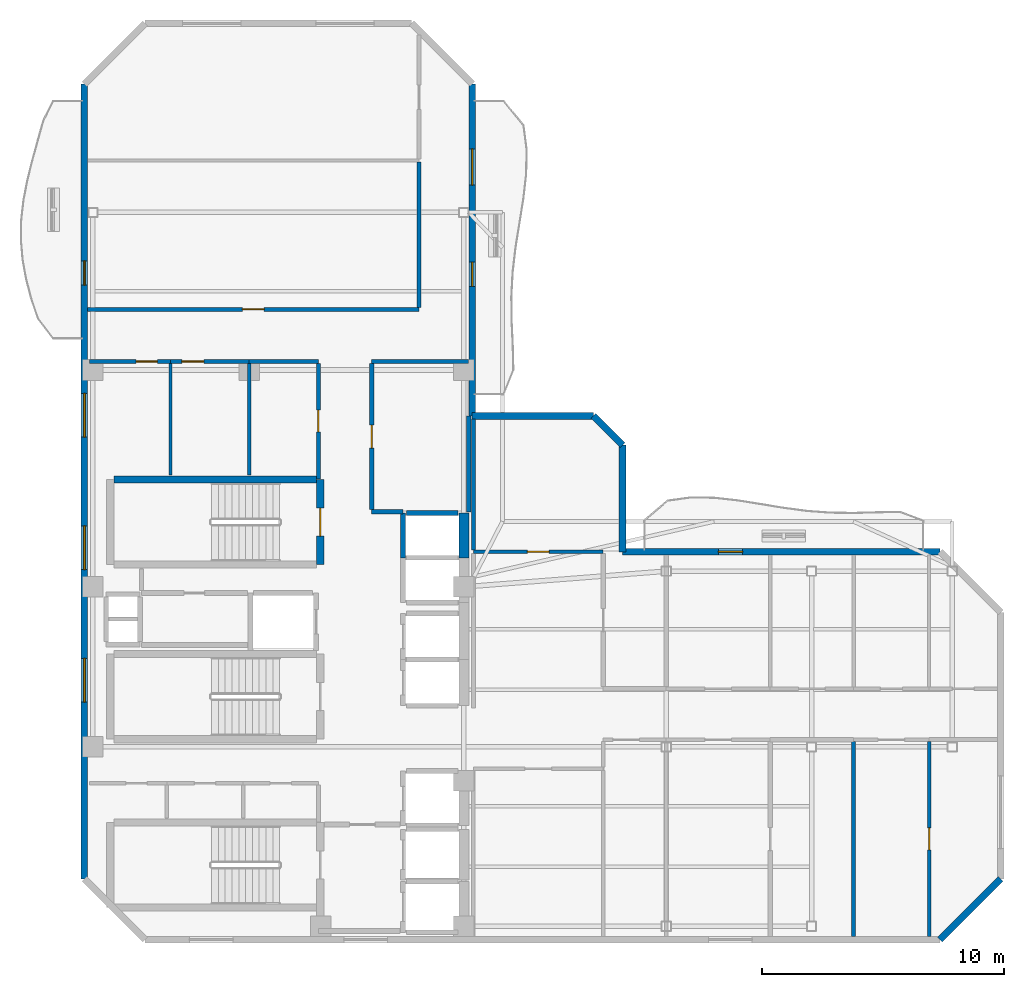
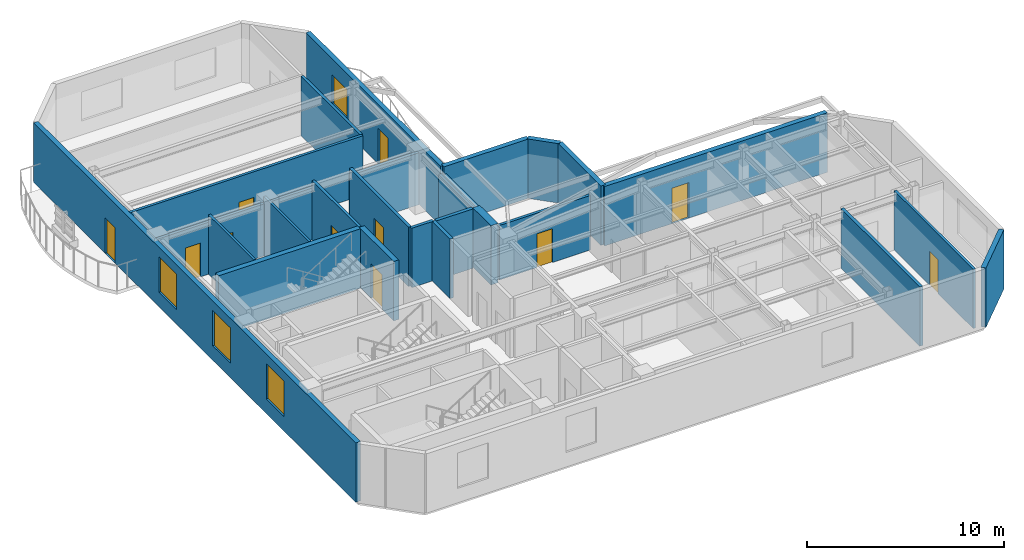
# One storey, part 4 of 7: 28 walls, 11 doors, 4 windows, 15 openings.
"""IFC4 building model written with IfcOpenShell, lengths in metres."""

from ifc_helpers import new_model, si_unit, direction, frame, frame_2d, origin, place, context, subcontext, project, spatial, rectangle, extrude, material, layer, layer_set, type_object, element, fill, save


model = new_model("IFC4")

# Units and contexts
model_context = context("Model", 3, precision=1e-05, world=origin(), true_north=direction((0.0, 1.0)))
body_context = subcontext(model_context, "Body", "Model", "MODEL_VIEW")
ifc_project = project(units=[si_unit("LENGTHUNIT", "METRE"), si_unit("AREAUNIT", "SQUARE_METRE"), si_unit("VOLUMEUNIT", "CUBIC_METRE"), si_unit("PLANEANGLEUNIT", "RADIAN"), si_unit("MASSUNIT", "GRAM", prefix="KILO")], contexts=[model_context])

# Site, building, storey
site_placement = place(None, origin())
site = spatial("IfcSite", under=ifc_project, at=site_placement, CompositionType="ELEMENT")
building_placement = place(site_placement, origin())
building = spatial("IfcBuilding", under=site, at=building_placement, Name="Mawjaban Terraces University", CompositionType="ELEMENT")
storey_placement = place(building_placement, frame((0.0, 0.0, 283.300048828125)))
storey = spatial("IfcBuildingStorey", under=building, at=storey_placement, Name="L69", CompositionType="ELEMENT", Elevation=283.300048828125)

# Walls
ifc_material_1 = material(Name="Acoustic masonry blockwork", Category="masonry")
ifc_layer_1 = layer(ifc_material_1, 0.179931640625)
ifc_layer_set_1 = layer_set([ifc_layer_1], Name="Acoustic masonry blockwork")
wall_type_1 = type_object("IfcWallType", Name="AcousticStudioWall_180", PredefinedType="PARTITIONING", material=ifc_layer_set_1)
wall_1_placement = place(storey_placement, frame((33.85009765625, 17.64990234375, 0.0), z_axis=(0.0, 0.0, 1.0), x_axis=(1.0, 0.0, 0.0)))
element("IfcWall", 1, at=wall_1_placement, inside=storey, type_object=wall_type_1, Name="L69 Graduate Research Collaboration Studio Partition 10", PredefinedType="PARTITIONING", context=body_context, shape_type="SweptSolid", body=[
    extrude(rectangle(XDim=1.2998046875, YDim=0.179931640625, at=frame_2d((0.64990234375, 0.0))), origin(), (0.0, 0.0, 1.0), 3.68994140625),
])
wall_2_placement = place(storey_placement, frame((37.85009765625, 23.85009765625, 0.0), z_axis=(0.0, 0.0, 1.0), x_axis=(-1.0, 0.0, 0.0)))
element("IfcWall", 2, at=wall_2_placement, inside=storey, type_object=wall_type_1, Name="L69 Graduate Research Collaboration Studio Partition 14", PredefinedType="PARTITIONING", context=body_context, shape_type="SweptSolid", body=[
    extrude(rectangle(XDim=4.0, YDim=0.179931640625, at=frame_2d((2.0, 0.0))), origin(), (0.0, 0.0, 1.0), 3.22705078125),
])

# Wall, opening, door
wall_3_placement = place(storey_placement, frame((33.85009765625, 17.735107421875, 0.0), z_axis=(0.0, 0.0, 1.0), x_axis=(0.0, 1.0, 0.0)))
wall_3 = element("IfcWall", 3, at=wall_3_placement, inside=storey, type_object=wall_type_1, Name="L69 Core North Lift Lobby Partition 34", PredefinedType="PARTITIONING", context=body_context, shape_type="SweptSolid", body=[
    extrude(rectangle(XDim=6.02978515625, YDim=0.179931640625, at=frame_2d((3.014892578125, 0.0))), origin(), (0.0, 0.0, 1.0), 3.68994140625),
])
opening_1_placement = place(wall_3_placement, frame((2.5400390625, 0.0, 0.0)))
opening_1 = element("IfcOpeningElement", 4, at=opening_1_placement, cuts=wall_3, Name="Opening ID-095", PredefinedType="OPENING", context=body_context, shape_type="SweptSolid", body=[
    extrude(rectangle(XDim=0.949951171875, YDim=2.10009765625, at=frame_2d((0.47509765625, 1.050048828125))), frame((0.0, 0.099853515625, 0.0), z_axis=(0.0, -1.0, 0.0), x_axis=(1.0, 0.0, 0.0)), (0.0, 0.0, 1.0), 0.199951171875),
])
ifc_material_2 = material(Name="Powder-coated steel frame and solid acoustic timber leaf", Category="steel")
door_type_1 = type_object("IfcDoorType", Name="StudioDoor_950x2100", OperationType="NOTDEFINED", PredefinedType="DOOR", material=ifc_material_2)
door_1_placement = place(opening_1_placement, origin())
door_1 = element("IfcDoor", 5, at=door_1_placement, inside=storey, type_object=door_type_1, Name="L69 Graduate Research Collaboration Studio Door", OperationType="SINGLE_SWING_RIGHT", OverallHeight=2.10009765625, OverallWidth=0.949951171875, PredefinedType="DOOR", context=body_context, shape_type="SweptSolid", body=[
    extrude(rectangle(XDim=0.949951171875, YDim=2.10009765625, at=frame_2d((0.47509765625, 1.050048828125))), frame((0.0, 0.02490234375, 0.0), z_axis=(0.0, -1.0, 0.0), x_axis=(1.0, 0.0, 0.0)), (0.0, 0.0, 1.0), 0.050048828125),
])
fill(opening_1, door_1)

# Walls
wall_4_placement = place(storey_placement, frame((37.85009765625, 17.64990234375, 0.0), z_axis=(0.0, 0.0, 1.0), x_axis=(0.0, 1.0, 0.0)))
element("IfcWall", 6, at=wall_4_placement, inside=storey, type_object=wall_type_1, Name="L69 Graduate Research Collaboration Studio Partition 37", PredefinedType="PARTITIONING", context=body_context, shape_type="SweptSolid", body=[
    extrude(rectangle(XDim=3.9501953125, YDim=0.179931640625, at=frame_2d((1.97509765625, 0.0))), origin(), (0.0, 0.0, 1.0), 3.22705078125),
])
wall_5_placement = place(storey_placement, frame((38.050048828125, 21.468017578125, 0.0), z_axis=(0.0, 0.0, 1.0), x_axis=(0.0, -1.0, 0.0)))
element("IfcWall", 7, at=wall_5_placement, inside=storey, type_object=wall_type_1, Name="L69 Terrace Collaborative Study Room Partition 40", PredefinedType="PARTITIONING", context=body_context, shape_type="SweptSolid", body=[
    extrude(rectangle(XDim=5.39306640625, YDim=0.179931640625, at=frame_2d((2.696533203125, 0.0))), origin(), (0.0, 0.0, 1.0), 3.22705078125),
])
wall_6_placement = place(storey_placement, frame((53.72998046875, 0.133056640625, 0.0), z_axis=(0.0, 0.0, 1.0), x_axis=(0.0, 1.0, 0.0)))
element("IfcWall", 8, at=wall_6_placement, inside=storey, type_object=wall_type_1, Name="L69 Design Studio 6 Partition 48", PredefinedType="PARTITIONING", context=body_context, shape_type="SweptSolid", body=[
    extrude(rectangle(XDim=8.031982421875, YDim=0.179931640625, at=frame_2d((4.01611328125, 0.0))), origin(), (0.0, 0.0, 1.0), 3.68994140625),
])
ifc_material_3 = material(Name="Concrete C50/60", Category="concrete")
ifc_layer_2 = layer(ifc_material_3, 0.419921875)
ifc_layer_set_2 = layer_set([ifc_layer_2], Name="Concrete C50/60")
wall_type_2 = type_object("IfcWallType", Name="CoreShearWall_420", PredefinedType="SHEAR", material=ifc_layer_set_2)
wall_7_placement = place(storey_placement, frame((37.659912109375, 15.75, 0.0), z_axis=(0.0, 0.0, 1.0), x_axis=(0.0, 1.0, 0.0)))
element("IfcWall", 9, at=wall_7_placement, inside=storey, type_object=wall_type_2, Name="L69 Lift OL-2 Hoistway Wall East", PredefinedType="SHEAR", context=body_context, shape_type="SweptSolid", body=[
    extrude(rectangle(XDim=1.85009765625, YDim=0.419921875, at=frame_2d((0.925048828125, 0.0))), origin(), (0.0, 0.0, 1.0), 3.68994140625),
])

# Wall, opening, door
ifc_material_4 = material(Name="Fire-rated gypsum board on steel stud", Category="steel")
ifc_layer_3 = layer(ifc_material_4, 0.159912109375)
ifc_layer_set_3 = layer_set([ifc_layer_3], Name="Fire-rated gypsum board on steel stud")
wall_type_3 = type_object("IfcWallType", Name="CorridorPartition_160", PredefinedType="PARTITIONING", material=ifc_layer_set_3)
wall_8_placement = place(storey_placement, frame((25.550048828125, 23.85009765625, 0.0), z_axis=(0.0, 0.0, 1.0), x_axis=(-1.0, 0.0, 0.0)))
wall_8 = element("IfcWall", 10, at=wall_8_placement, inside=storey, type_object=wall_type_3, Name="L69 Ablution Room Partition 5", PredefinedType="PARTITIONING", context=body_context, shape_type="SweptSolid", body=[
    extrude(rectangle(XDim=3.35009765625, YDim=0.159912109375, at=frame_2d((1.675048828125, 0.0))), origin(), (0.0, 0.0, 1.0), 3.22705078125),
])
opening_2_placement = place(wall_8_placement, frame((0.534912109375, 0.0, 0.0)))
opening_2 = element("IfcOpeningElement", 11, at=opening_2_placement, cuts=wall_8, Name="Opening ID-088", PredefinedType="OPENING", context=body_context, shape_type="SweptSolid", body=[
    extrude(rectangle(XDim=0.8798828125, YDim=2.10009765625, at=frame_2d((0.43994140625, 1.050048828125))), frame((0.0, 0.08984375, 0.0), z_axis=(0.0, -1.0, 0.0), x_axis=(1.0, 0.0, 0.0)), (0.0, 0.0, 1.0), 0.179931640625),
])
door_type_2 = type_object("IfcDoorType", Name="ToiletDoor_880x2100", OperationType="NOTDEFINED", PredefinedType="DOOR", material=ifc_material_2)
door_2_placement = place(opening_2_placement, origin())
door_2 = element("IfcDoor", 12, at=door_2_placement, inside=storey, type_object=door_type_2, Name="L69 Ablution Room Door", OperationType="SINGLE_SWING_RIGHT", OverallHeight=2.10009765625, OverallWidth=0.8798828125, PredefinedType="DOOR", context=body_context, shape_type="SweptSolid", body=[
    extrude(rectangle(XDim=0.8798828125, YDim=2.10009765625, at=frame_2d((0.43994140625, 1.050048828125))), frame((0.0, 0.02490234375, 0.0), z_axis=(0.0, -1.0, 0.0), x_axis=(1.0, 0.0, 0.0)), (0.0, 0.0, 1.0), 0.050048828125),
])
fill(opening_2, door_2)

wall_9_placement = place(storey_placement, frame((28.800048828125, 23.85009765625, 0.0), z_axis=(0.0, 0.0, 1.0), x_axis=(-1.0, 0.0, 0.0)))
wall_9 = element("IfcWall", 13, at=wall_9_placement, inside=storey, type_object=wall_type_3, Name="L69 Cleaner Store Partition 7", PredefinedType="PARTITIONING", context=body_context, shape_type="SweptSolid", body=[
    extrude(rectangle(XDim=3.25, YDim=0.159912109375, at=frame_2d((1.625, 0.0))), origin(), (0.0, 0.0, 1.0), 3.22705078125),
])
opening_3_placement = place(wall_9_placement, frame((1.875, 0.0, 0.0)))
opening_3 = element("IfcOpeningElement", 14, at=opening_3_placement, cuts=wall_9, Name="Opening ID-090", PredefinedType="OPENING", context=body_context, shape_type="SweptSolid", body=[
    extrude(rectangle(XDim=0.89990234375, YDim=2.10009765625, at=frame_2d((0.449951171875, 1.050048828125))), frame((0.0, 0.08984375, 0.0), z_axis=(0.0, -1.0, 0.0), x_axis=(1.0, 0.0, 0.0)), (0.0, 0.0, 1.0), 0.179931640625),
])
door_type_3 = type_object("IfcDoorType", Name="OfficeDoor_900x2100", OperationType="NOTDEFINED", PredefinedType="DOOR", material=ifc_material_2)
door_3_placement = place(opening_3_placement, origin())
door_3 = element("IfcDoor", 15, at=door_3_placement, inside=storey, type_object=door_type_3, Name="L69 Cleaner Store Door", OperationType="SINGLE_SWING_LEFT", OverallHeight=2.10009765625, OverallWidth=0.89990234375, PredefinedType="DOOR", context=body_context, shape_type="SweptSolid", body=[
    extrude(rectangle(XDim=0.89990234375, YDim=2.10009765625, at=frame_2d((0.449951171875, 1.050048828125))), frame((0.0, 0.02490234375, 0.0), z_axis=(0.0, -1.0, 0.0), x_axis=(1.0, 0.0, 0.0)), (0.0, 0.0, 1.0), 0.050048828125),
])
fill(opening_3, door_3)

# Wall
wall_10_placement = place(storey_placement, frame((31.64990234375, 23.85009765625, 0.0), z_axis=(0.0, 0.0, 1.0), x_axis=(-1.0, 0.0, 0.0)))
element("IfcWall", 16, at=wall_10_placement, inside=storey, type_object=wall_type_3, Name="L69 Faculty Academic Resource Office Partition 9", PredefinedType="PARTITIONING", context=body_context, shape_type="SweptSolid", body=[
    extrude(rectangle(XDim=2.849853515625, YDim=0.159912109375, at=frame_2d((1.4248046875, 0.0))), origin(), (0.0, 0.0, 1.0), 3.22705078125),
])

# Wall, opening, door
wall_11_placement = place(storey_placement, frame((35.800048828125, 26.0, 0.0), z_axis=(0.0, 0.0, 1.0), x_axis=(-1.0, 0.0, 0.0)))
wall_11 = element("IfcWall", 17, at=wall_11_placement, inside=storey, type_object=wall_type_3, Name="L69 North Core Cross-Corridor Partition 12", PredefinedType="PARTITIONING", context=body_context, shape_type="SweptSolid", body=[
    extrude(rectangle(XDim=13.6669921875, YDim=0.159912109375, at=frame_2d((6.83349609375, 0.0))), origin(), (0.0, 0.0, 1.0), 3.68994140625),
])
opening_4_placement = place(wall_11_placement, frame((6.383056640625, 0.0, 0.0)))
opening_4 = element("IfcOpeningElement", 18, at=opening_4_placement, cuts=wall_11, Name="Opening ID-090", PredefinedType="OPENING", context=body_context, shape_type="SweptSolid", body=[
    extrude(rectangle(XDim=0.89990234375, YDim=2.10009765625, at=frame_2d((0.449951171875, 1.050048828125))), frame((0.0, 0.08984375, 0.0), z_axis=(0.0, -1.0, 0.0), x_axis=(1.0, 0.0, 0.0)), (0.0, 0.0, 1.0), 0.179931640625),
])
door_4_placement = place(opening_4_placement, origin())
door_4 = element("IfcDoor", 19, at=door_4_placement, inside=storey, type_object=door_type_3, Name="L69 Departmental Office 12 Door", OperationType="SINGLE_SWING_LEFT", OverallHeight=2.10009765625, OverallWidth=0.89990234375, PredefinedType="DOOR", context=body_context, shape_type="SweptSolid", body=[
    extrude(rectangle(XDim=0.89990234375, YDim=2.10009765625, at=frame_2d((0.449951171875, 1.050048828125))), frame((0.0, 0.02490234375, 0.0), z_axis=(0.0, -1.0, 0.0), x_axis=(1.0, 0.0, 0.0)), (0.0, 0.0, 1.0), 0.050048828125),
])
fill(opening_4, door_4)

wall_12_placement = place(storey_placement, frame((43.39990234375, 16.0, 0.0), z_axis=(0.0, 0.0, 1.0), x_axis=(-1.0, 0.0, 0.0)))
wall_12 = element("IfcWall", 20, at=wall_12_placement, inside=storey, type_object=wall_type_3, Name="L69 Upper Research Hub Concourse Partition 17", PredefinedType="PARTITIONING", context=body_context, shape_type="SweptSolid", body=[
    extrude(rectangle(XDim=5.349853515625, YDim=0.159912109375, at=frame_2d((2.6748046875, 0.0))), origin(), (0.0, 0.0, 1.0), 3.389892578125),
])
opening_5_placement = place(wall_12_placement, frame((2.22509765625, 0.0, 0.0)))
opening_5 = element("IfcOpeningElement", 21, at=opening_5_placement, cuts=wall_12, Name="Opening ID-090", PredefinedType="OPENING", context=body_context, shape_type="SweptSolid", body=[
    extrude(rectangle(XDim=0.89990234375, YDim=2.10009765625, at=frame_2d((0.449951171875, 1.050048828125))), frame((0.0, 0.08984375, 0.0), z_axis=(0.0, -1.0, 0.0), x_axis=(1.0, 0.0, 0.0)), (0.0, 0.0, 1.0), 0.179931640625),
])
door_5_placement = place(opening_5_placement, origin())
door_5 = element("IfcDoor", 22, at=door_5_placement, inside=storey, type_object=door_type_3, Name="L69 Terrace Collaborative Study Room Door", OperationType="SINGLE_SWING_LEFT", OverallHeight=2.10009765625, OverallWidth=0.89990234375, PredefinedType="DOOR", context=body_context, shape_type="SweptSolid", body=[
    extrude(rectangle(XDim=0.89990234375, YDim=2.10009765625, at=frame_2d((0.449951171875, 1.050048828125))), frame((0.0, 0.02490234375, 0.0), z_axis=(0.0, -1.0, 0.0), x_axis=(1.0, 0.0, 0.0)), (0.0, 0.0, 1.0), 0.050048828125),
])
fill(opening_5, door_5)

wall_13_placement = place(storey_placement, frame((31.64990234375, 19.010009765625, 0.0), z_axis=(0.0, 0.0, 1.0), x_axis=(0.0, 1.0, 0.0)))
wall_13 = element("IfcWall", 23, at=wall_13_placement, inside=storey, type_object=wall_type_3, Name="L69 Faculty Academic Resource Office Partition 33", PredefinedType="PARTITIONING", context=body_context, shape_type="SweptSolid", body=[
    extrude(rectangle(XDim=4.764892578125, YDim=0.159912109375, at=frame_2d((2.38232421875, 0.0))), origin(), (0.0, 0.0, 1.0), 3.68994140625),
])
opening_6_placement = place(wall_13_placement, frame((1.931884765625, 0.0, 0.0)))
opening_6 = element("IfcOpeningElement", 24, at=opening_6_placement, cuts=wall_13, Name="Opening ID-090", PredefinedType="OPENING", context=body_context, shape_type="SweptSolid", body=[
    extrude(rectangle(XDim=0.89990234375, YDim=2.10009765625, at=frame_2d((0.449951171875, 1.050048828125))), frame((0.0, 0.08984375, 0.0), z_axis=(0.0, -1.0, 0.0), x_axis=(1.0, 0.0, 0.0)), (0.0, 0.0, 1.0), 0.179931640625),
])
door_6_placement = place(opening_6_placement, origin())
door_6 = element("IfcDoor", 25, at=door_6_placement, inside=storey, type_object=door_type_3, Name="L69 Faculty Academic Resource Office Door", OperationType="SINGLE_SWING_LEFT", OverallHeight=2.10009765625, OverallWidth=0.89990234375, PredefinedType="DOOR", context=body_context, shape_type="SweptSolid", body=[
    extrude(rectangle(XDim=0.89990234375, YDim=2.10009765625, at=frame_2d((0.449951171875, 1.050048828125))), frame((0.0, 0.02490234375, 0.0), z_axis=(0.0, -1.0, 0.0), x_axis=(1.0, 0.0, 0.0)), (0.0, 0.0, 1.0), 0.050048828125),
])
fill(opening_6, door_6)

# Walls
wall_14_placement = place(storey_placement, frame((35.800048828125, 32.0830078125, 0.0), z_axis=(0.0, 0.0, 1.0), x_axis=(0.0, -1.0, 0.0)))
element("IfcWall", 26, at=wall_14_placement, inside=storey, type_object=wall_type_3, Name="L69 Upper North Research Gallery Partition 35", PredefinedType="PARTITIONING", context=body_context, shape_type="SweptSolid", body=[
    extrude(rectangle(XDim=6.008056640625, YDim=0.159912109375, at=frame_2d((3.00390625, 0.0))), origin(), (0.0, 0.0, 1.0), 3.68994140625),
])
ifc_material_5 = material(Name="Insulated terracotta rainscreen on concrete backup C40/50", Category="masonry")
ifc_layer_4 = layer(ifc_material_5, 0.27490234375)
ifc_layer_set_4 = layer_set([ifc_layer_4], Name="Insulated terracotta rainscreen on concrete backup C40/50")
wall_type_4 = type_object("IfcWallType", Name="ExtTerracottaWall_275", PredefinedType="SOLIDWALL", material=ifc_layer_set_4)
wall_15_placement = place(storey_placement, frame((57.300048828125, 0.0, 0.0), z_axis=(0.0, 0.0, 1.0), x_axis=(0.707106781187, 0.707106781187, 0.0)))
element("IfcWall", 27, at=wall_15_placement, inside=storey, type_object=wall_type_4, Name="L69 Exterior Terracotta Wall 2", PredefinedType="SOLIDWALL", context=body_context, shape_type="SweptSolid", body=[
    extrude(rectangle(XDim=3.53564453125, YDim=0.27490234375, at=frame_2d((1.767822265625, 0.0))), origin(), (0.0, 0.0, 1.0), 3.68994140625),
])

# Wall, opening, door
wall_16_placement = place(storey_placement, frame((57.300048828125, 16.0, 0.0), z_axis=(0.0, 0.0, 1.0), x_axis=(-1.0, 0.0, 0.0)))
wall_16 = element("IfcWall", 28, at=wall_16_placement, inside=storey, type_object=wall_type_4, Name="L69 Exterior Terracotta Wall 5", PredefinedType="SOLIDWALL", context=body_context, shape_type="SweptSolid", body=[
    extrude(rectangle(XDim=13.10009765625, YDim=0.27490234375, at=frame_2d((6.550048828125, 0.0))), origin(), (0.0, 0.0, 1.0), 3.68994140625),
])
opening_7_placement = place(wall_16_placement, frame((8.14990234375, 0.0, 0.0)))
opening_7 = element("IfcOpeningElement", 29, at=opening_7_placement, cuts=wall_16, Name="Opening BD-100", PredefinedType="OPENING", context=body_context, shape_type="SweptSolid", body=[
    extrude(rectangle(XDim=1.0, YDim=2.199951171875, at=frame_2d((0.5, 1.10009765625))), frame((0.0, 0.1474609375, 0.0), z_axis=(0.0, -1.0, 0.0), x_axis=(1.0, 0.0, 0.0)), (0.0, 0.0, 1.0), 0.294921875),
])
ifc_material_6 = material(Name="Thermally broken anodised aluminium and laminated safety glass", Category="aluminium")
door_type_4 = type_object("IfcDoorType", Name="BalconyGlazedDoor_1000x2200", OperationType="NOTDEFINED", PredefinedType="DOOR", material=ifc_material_6)
door_7_placement = place(opening_7_placement, origin())
door_7 = element("IfcDoor", 30, at=door_7_placement, inside=storey, type_object=door_type_4, Name="L69 Balcony Access Door inner_north", OperationType="SINGLE_SWING_RIGHT", OverallHeight=2.199951171875, OverallWidth=1.0, PredefinedType="DOOR", context=body_context, shape_type="SweptSolid", body=[
    extrude(rectangle(XDim=1.0, YDim=2.199951171875, at=frame_2d((0.5, 1.10009765625))), frame((0.0, 0.02490234375, 0.0), z_axis=(0.0, -1.0, 0.0), x_axis=(1.0, 0.0, 0.0)), (0.0, 0.0, 1.0), 0.050048828125),
])
fill(opening_7, door_7)

# Walls
wall_17_placement = place(storey_placement, frame((44.199951171875, 16.0, 0.0), z_axis=(0.0, 0.0, 1.0), x_axis=(0.0, 1.0, 0.0)))
element("IfcWall", 31, at=wall_17_placement, inside=storey, type_object=wall_type_4, Name="L69 Exterior Terracotta Wall 6", PredefinedType="SOLIDWALL", context=body_context, shape_type="SweptSolid", body=[
    extrude(rectangle(XDim=4.39990234375, YDim=0.27490234375, at=frame_2d((2.199951171875, 0.0))), origin(), (0.0, 0.0, 1.0), 3.68994140625),
])
wall_18_placement = place(storey_placement, frame((44.199951171875, 20.39990234375, 0.0), z_axis=(0.0, 0.0, 1.0), x_axis=(-0.707034851297, 0.707178703759, 0.0)))
element("IfcWall", 32, at=wall_18_placement, inside=storey, type_object=wall_type_4, Name="L69 Exterior Terracotta Wall 7", PredefinedType="SOLIDWALL", context=body_context, shape_type="SweptSolid", body=[
    extrude(rectangle(XDim=1.697265625, YDim=0.27490234375, at=frame_2d((0.8486328125, 0.0))), origin(), (0.0, 0.0, 1.0), 3.68994140625),
])
wall_19_placement = place(storey_placement, frame((43.0, 21.60009765625, 0.0), z_axis=(0.0, 0.0, 1.0), x_axis=(-1.0, 0.0, 0.0)))
element("IfcWall", 33, at=wall_19_placement, inside=storey, type_object=wall_type_4, Name="L69 Exterior Terracotta Wall 8", PredefinedType="SOLIDWALL", context=body_context, shape_type="SweptSolid", body=[
    extrude(rectangle(XDim=5.0, YDim=0.27490234375, at=frame_2d((2.5, 0.0))), origin(), (0.0, 0.0, 1.0), 3.68994140625),
])

# Wall, openings, door, window
wall_20_placement = place(storey_placement, frame((38.0, 21.60009765625, 0.0), z_axis=(0.0, 0.0, 1.0), x_axis=(0.0, 1.0, 0.0)))
wall_20 = element("IfcWall", 34, at=wall_20_placement, inside=storey, type_object=wall_type_4, Name="L69 Exterior Terracotta Wall 9", PredefinedType="SOLIDWALL", context=body_context, shape_type="SweptSolid", body=[
    extrude(rectangle(XDim=13.699951171875, YDim=0.27490234375, at=frame_2d((6.85009765625, 0.0))), origin(), (0.0, 0.0, 1.0), 3.68994140625),
])
opening_8_placement = place(wall_20_placement, frame((5.35009765625, 0.0, 0.0)))
opening_8 = element("IfcOpeningElement", 35, at=opening_8_placement, cuts=wall_20, Name="Opening BD-100", PredefinedType="OPENING", context=body_context, shape_type="SweptSolid", body=[
    extrude(rectangle(XDim=1.0, YDim=2.199951171875, at=frame_2d((0.5, 1.10009765625))), frame((0.0, 0.1474609375, 0.0), z_axis=(0.0, -1.0, 0.0), x_axis=(1.0, 0.0, 0.0)), (0.0, 0.0, 1.0), 0.294921875),
])
opening_9_placement = place(wall_20_placement, frame((9.52490234375, 0.0, 0.89990234375)))
opening_9 = element("IfcOpeningElement", 36, at=opening_9_placement, cuts=wall_20, Name="Opening W-06", PredefinedType="OPENING", context=body_context, shape_type="SweptSolid", body=[
    extrude(rectangle(XDim=1.5, YDim=1.800048828125, at=frame_2d((0.75, 0.89990234375))), frame((0.0, 0.1474609375, 0.0), z_axis=(0.0, -1.0, 0.0), x_axis=(1.0, 0.0, 0.0)), (0.0, 0.0, 1.0), 0.294921875),
])
door_8_placement = place(opening_8_placement, origin())
door_8 = element("IfcDoor", 37, at=door_8_placement, inside=storey, type_object=door_type_4, Name="L69 Balcony Access Door inner_east", OperationType="SINGLE_SWING_RIGHT", OverallHeight=2.199951171875, OverallWidth=1.0, PredefinedType="DOOR", context=body_context, shape_type="SweptSolid", body=[
    extrude(rectangle(XDim=1.0, YDim=2.199951171875, at=frame_2d((0.5, 1.10009765625))), frame((0.0, 0.02490234375, 0.0), z_axis=(0.0, -1.0, 0.0), x_axis=(1.0, 0.0, 0.0)), (0.0, 0.0, 1.0), 0.050048828125),
])
fill(opening_8, door_8)
ifc_material_7 = material(Name="Low-E solar-control double glazing in thermally broken aluminium frame", Category="aluminium")
window_type_1 = type_object("IfcWindowType", Name="Win_1500x1800", PartitioningType="SINGLE_PANEL", PredefinedType="WINDOW", material=ifc_material_7)
window_1_placement = place(opening_9_placement, origin())
window_1 = element("IfcWindow", 38, at=window_1_placement, inside=storey, type_object=window_type_1, Name="L69 Facade Window 9.2", OverallHeight=1.800048828125, OverallWidth=1.5, PartitioningType="SINGLE_PANEL", PredefinedType="WINDOW", context=body_context, shape_type="SweptSolid", body=[
    extrude(rectangle(XDim=1.5, YDim=1.800048828125, at=frame_2d((0.75, 0.89990234375))), frame((0.0, 0.030029296875, 0.0), z_axis=(0.0, -1.0, 0.0), x_axis=(1.0, 0.0, 0.0)), (0.0, 0.0, 1.0), 0.06005859375),
])
fill(opening_9, window_1)

# Wall, openings, door, windows
wall_21_placement = place(storey_placement, frame((22.0, 35.300048828125, 0.0), z_axis=(0.0, 0.0, 1.0), x_axis=(0.0, -1.0, 0.0)))
wall_21 = element("IfcWall", 39, at=wall_21_placement, inside=storey, type_object=wall_type_4, Name="L69 Exterior Terracotta Wall 13", PredefinedType="SOLIDWALL", context=body_context, shape_type="SweptSolid", body=[
    extrude(rectangle(XDim=32.800048828125, YDim=0.27490234375, at=frame_2d((16.39990234375, 0.0))), origin(), (0.0, 0.0, 1.0), 3.68994140625),
])
opening_10_placement = place(wall_21_placement, frame((7.300048828125, 0.0, 0.0)))
opening_10 = element("IfcOpeningElement", 40, at=opening_10_placement, cuts=wall_21, Name="Opening BD-100", PredefinedType="OPENING", context=body_context, shape_type="SweptSolid", body=[
    extrude(rectangle(XDim=1.0, YDim=2.199951171875, at=frame_2d((0.5, 1.10009765625))), frame((0.0, 0.1474609375, 0.0), z_axis=(0.0, -1.0, 0.0), x_axis=(1.0, 0.0, 0.0)), (0.0, 0.0, 1.0), 0.294921875),
])
opening_11_placement = place(wall_21_placement, frame((12.76708984375, 0.0, 0.89990234375)))
opening_11 = element("IfcOpeningElement", 41, at=opening_11_placement, cuts=wall_21, Name="Opening W-10", PredefinedType="OPENING", context=body_context, shape_type="SweptSolid", body=[
    extrude(rectangle(XDim=1.800048828125, YDim=2.199951171875, at=frame_2d((0.89990234375, 1.10009765625))), frame((0.0, 0.1474609375, 0.0), z_axis=(0.0, -1.0, 0.0), x_axis=(1.0, 0.0, 0.0)), (0.0, 0.0, 1.0), 0.294921875),
])
opening_12_placement = place(wall_21_placement, frame((18.23291015625, 0.0, 0.89990234375)))
opening_12 = element("IfcOpeningElement", 42, at=opening_12_placement, cuts=wall_21, Name="Opening W-10", PredefinedType="OPENING", context=body_context, shape_type="SweptSolid", body=[
    extrude(rectangle(XDim=1.800048828125, YDim=2.199951171875, at=frame_2d((0.89990234375, 1.10009765625))), frame((0.0, 0.1474609375, 0.0), z_axis=(0.0, -1.0, 0.0), x_axis=(1.0, 0.0, 0.0)), (0.0, 0.0, 1.0), 0.294921875),
])
opening_13_placement = place(wall_21_placement, frame((23.699951171875, 0.0, 0.89990234375)))
opening_13 = element("IfcOpeningElement", 43, at=opening_13_placement, cuts=wall_21, Name="Opening W-10", PredefinedType="OPENING", context=body_context, shape_type="SweptSolid", body=[
    extrude(rectangle(XDim=1.800048828125, YDim=2.199951171875, at=frame_2d((0.89990234375, 1.10009765625))), frame((0.0, 0.1474609375, 0.0), z_axis=(0.0, -1.0, 0.0), x_axis=(1.0, 0.0, 0.0)), (0.0, 0.0, 1.0), 0.294921875),
])
door_9_placement = place(opening_10_placement, origin())
door_9 = element("IfcDoor", 44, at=door_9_placement, inside=storey, type_object=door_type_4, Name="L69 Balcony Access Door west", OperationType="SINGLE_SWING_RIGHT", OverallHeight=2.199951171875, OverallWidth=1.0, PredefinedType="DOOR", context=body_context, shape_type="SweptSolid", body=[
    extrude(rectangle(XDim=1.0, YDim=2.199951171875, at=frame_2d((0.5, 1.10009765625))), frame((0.0, 0.02490234375, 0.0), z_axis=(0.0, -1.0, 0.0), x_axis=(1.0, 0.0, 0.0)), (0.0, 0.0, 1.0), 0.050048828125),
])
fill(opening_10, door_9)
window_type_2 = type_object("IfcWindowType", Name="Win_1800x2200", PartitioningType="SINGLE_PANEL", PredefinedType="WINDOW", material=ifc_material_7)
window_2_placement = place(opening_11_placement, origin())
window_2 = element("IfcWindow", 45, at=window_2_placement, inside=storey, type_object=window_type_2, Name="L69 Facade Window 13.3", OverallHeight=2.199951171875, OverallWidth=1.800048828125, PartitioningType="SINGLE_PANEL", PredefinedType="WINDOW", context=body_context, shape_type="SweptSolid", body=[
    extrude(rectangle(XDim=1.800048828125, YDim=2.199951171875, at=frame_2d((0.89990234375, 1.10009765625))), frame((0.0, 0.030029296875, 0.0), z_axis=(0.0, -1.0, 0.0), x_axis=(1.0, 0.0, 0.0)), (0.0, 0.0, 1.0), 0.06005859375),
])
fill(opening_11, window_2)
window_3_placement = place(opening_12_placement, origin())
window_3 = element("IfcWindow", 46, at=window_3_placement, inside=storey, type_object=window_type_2, Name="L69 Facade Window 13.4", OverallHeight=2.199951171875, OverallWidth=1.800048828125, PartitioningType="SINGLE_PANEL", PredefinedType="WINDOW", context=body_context, shape_type="SweptSolid", body=[
    extrude(rectangle(XDim=1.800048828125, YDim=2.199951171875, at=frame_2d((0.89990234375, 1.10009765625))), frame((0.0, 0.030029296875, 0.0), z_axis=(0.0, -1.0, 0.0), x_axis=(1.0, 0.0, 0.0)), (0.0, 0.0, 1.0), 0.06005859375),
])
fill(opening_12, window_3)
window_4_placement = place(opening_13_placement, origin())
window_4 = element("IfcWindow", 47, at=window_4_placement, inside=storey, type_object=window_type_2, Name="L69 Facade Window 13.5", OverallHeight=2.199951171875, OverallWidth=1.800048828125, PartitioningType="SINGLE_PANEL", PredefinedType="WINDOW", context=body_context, shape_type="SweptSolid", body=[
    extrude(rectangle(XDim=1.800048828125, YDim=2.199951171875, at=frame_2d((0.89990234375, 1.10009765625))), frame((0.0, 0.030029296875, 0.0), z_axis=(0.0, -1.0, 0.0), x_axis=(1.0, 0.0, 0.0)), (0.0, 0.0, 1.0), 0.06005859375),
])
fill(opening_13, window_4)

# Walls
ifc_material_8 = material(Name="Concrete C40/50", Category="concrete")
ifc_layer_5 = layer(ifc_material_8, 0.199951171875)
ifc_layer_set_5 = layer_set([ifc_layer_5], Name="Concrete C40/50")
wall_type_5 = type_object("IfcWallType", Name="FireLobbyWall_200", PredefinedType="SOLIDWALL", material=ifc_layer_set_5)
wall_22_placement = place(storey_placement, frame((35.14990234375, 17.60009765625, 0.0), z_axis=(0.0, 0.0, 1.0), x_axis=(0.0, -1.0, 0.0)))
element("IfcWall", 48, at=wall_22_placement, inside=storey, type_object=wall_type_5, Name="L69 Lift OL-2 Hoistway Wall West", PredefinedType="SOLIDWALL", context=body_context, shape_type="SweptSolid", body=[
    extrude(rectangle(XDim=1.85009765625, YDim=0.199951171875, at=frame_2d((0.925048828125, 0.0))), origin(), (0.0, 0.0, 1.0), 3.68994140625),
])
wall_23_placement = place(storey_placement, frame((37.419921875, 17.60009765625, 0.0), z_axis=(0.0, 0.0, 1.0), x_axis=(-1.0, 0.0, 0.0)))
element("IfcWall", 49, at=wall_23_placement, inside=storey, type_object=wall_type_5, Name="L69 Lift OL-2 Hoistway Wall North", PredefinedType="SOLIDWALL", context=body_context, shape_type="SweptSolid", body=[
    extrude(rectangle(XDim=2.139892578125, YDim=0.199951171875, at=frame_2d((1.06982421875, 0.0))), origin(), (0.0, 0.0, 1.0), 3.68994140625),
])

# Wall, opening, door
ifc_material_9 = material(Name="Moisture-resistant gypsum board on steel stud", Category="steel")
ifc_layer_6 = layer(ifc_material_9, 0.14501953125)
ifc_layer_set_6 = layer_set([ifc_layer_6], Name="Moisture-resistant gypsum board on steel stud")
wall_type_6 = type_object("IfcWallType", Name="LabPartition_145", PredefinedType="PARTITIONING", material=ifc_layer_set_6)
wall_24_placement = place(storey_placement, frame((56.85009765625, 0.133056640625, 0.0), z_axis=(0.0, 0.0, 1.0), x_axis=(0.0, 1.0, 0.0)))
wall_24 = element("IfcWall", 50, at=wall_24_placement, inside=storey, type_object=wall_type_6, Name="L69 Teaching Laboratory 8 Partition 50", PredefinedType="PARTITIONING", context=body_context, shape_type="SweptSolid", body=[
    extrude(rectangle(XDim=8.0419921875, YDim=0.14501953125, at=frame_2d((4.02099609375, 0.0))), origin(), (0.0, 0.0, 1.0), 3.68994140625),
])
opening_14_placement = place(wall_24_placement, frame((3.571044921875, 0.0, 0.0)))
opening_14 = element("IfcOpeningElement", 51, at=opening_14_placement, cuts=wall_24, Name="Opening ID-090", PredefinedType="OPENING", context=body_context, shape_type="SweptSolid", body=[
    extrude(rectangle(XDim=0.89990234375, YDim=2.10009765625, at=frame_2d((0.449951171875, 1.050048828125))), frame((0.0, 0.08251953125, 0.0), z_axis=(0.0, -1.0, 0.0), x_axis=(1.0, 0.0, 0.0)), (0.0, 0.0, 1.0), 0.1650390625),
])
door_10_placement = place(opening_14_placement, origin())
door_10 = element("IfcDoor", 52, at=door_10_placement, inside=storey, type_object=door_type_3, Name="L69 Student Tea Pantry 10 Door", OperationType="SINGLE_SWING_LEFT", OverallHeight=2.10009765625, OverallWidth=0.89990234375, PredefinedType="DOOR", context=body_context, shape_type="SweptSolid", body=[
    extrude(rectangle(XDim=0.89990234375, YDim=2.10009765625, at=frame_2d((0.449951171875, 1.050048828125))), frame((0.0, 0.02490234375, 0.0), z_axis=(0.0, -1.0, 0.0), x_axis=(1.0, 0.0, 0.0)), (0.0, 0.0, 1.0), 0.050048828125),
])
fill(opening_14, door_10)

# Walls
ifc_material_10 = material(Name="Gypsum plasterboard on steel stud", Category="steel")
ifc_layer_7 = layer(ifc_material_10, 0.125)
ifc_layer_set_7 = layer_set([ifc_layer_7], Name="Gypsum plasterboard on steel stud")
wall_type_7 = type_object("IfcWallType", Name="OfficePartition_125", PredefinedType="PARTITIONING", material=ifc_layer_set_7)
wall_25_placement = place(storey_placement, frame((28.800048828125, 23.77490234375, 0.0), z_axis=(0.0, 0.0, 1.0), x_axis=(0.0, -1.0, 0.0)))
element("IfcWall", 53, at=wall_25_placement, inside=storey, type_object=wall_type_7, Name="L69 Faculty Academic Resource Office Partition 31", PredefinedType="PARTITIONING", context=body_context, shape_type="SweptSolid", body=[
    extrude(rectangle(XDim=4.614990234375, YDim=0.125, at=frame_2d((2.3076171875, 0.0))), origin(), (0.0, 0.0, 1.0), 3.68994140625),
])
ifc_material_11 = material(Name="Concrete C60/75", Category="concrete")
ifc_layer_8 = layer(ifc_material_11, 0.300048828125)
ifc_layer_set_8 = layer_set([ifc_layer_8], Name="Concrete C60/75")
wall_type_8 = type_object("IfcWallType", Name="StairShaftWall_300", PredefinedType="SHEAR", material=ifc_layer_set_8)
wall_26_placement = place(storey_placement, frame((31.580078125, 18.97998046875, 0.0), z_axis=(0.0, 0.0, 1.0), x_axis=(-1.0, 0.0, 0.0)))
element("IfcWall", 54, at=wall_26_placement, inside=storey, type_object=wall_type_8, Name="L69 ST-2 Stair Shaft Wall 1", PredefinedType="SHEAR", context=body_context, shape_type="SweptSolid", body=[
    extrude(rectangle(XDim=8.360107421875, YDim=0.300048828125, at=frame_2d((4.18017578125, 0.0))), origin(), (0.0, 0.0, 1.0), 3.68994140625),
])

# Wall, opening, door
wall_27_placement = place(storey_placement, frame((31.72998046875, 15.469970703125, 0.0), z_axis=(0.0, 0.0, 1.0), x_axis=(0.0, 1.0, 0.0)))
wall_27 = element("IfcWall", 55, at=wall_27_placement, inside=storey, type_object=wall_type_8, Name="L69 ST-2 Stair Shaft Wall 4", PredefinedType="SHEAR", context=body_context, shape_type="SweptSolid", body=[
    extrude(rectangle(XDim=3.510009765625, YDim=0.300048828125, at=frame_2d((1.7548828125, 0.0))), origin(), (0.0, 0.0, 1.0), 3.68994140625),
])
opening_15_placement = place(wall_27_placement, frame((1.179931640625, 0.0, 0.0)))
opening_15 = element("IfcOpeningElement", 56, at=opening_15_placement, cuts=wall_27, Name="Opening FD-115", PredefinedType="OPENING", context=body_context, shape_type="SweptSolid", body=[
    extrude(rectangle(XDim=1.14990234375, YDim=2.14990234375, at=frame_2d((0.574951171875, 1.074951171875))), frame((0.0, 0.159912109375, 0.0), z_axis=(0.0, -1.0, 0.0), x_axis=(1.0, 0.0, 0.0)), (0.0, 0.0, 1.0), 0.320068359375),
])
ifc_material_12 = material(Name="Powder-coated steel frame and fire-rated steel-faced leaf", Category="steel")
door_type_5 = type_object("IfcDoorType", Name="FireStairDoor_1150x2150", OperationType="NOTDEFINED", PredefinedType="DOOR", material=ifc_material_12)
door_11_placement = place(opening_15_placement, origin())
door_11 = element("IfcDoor", 57, at=door_11_placement, inside=storey, type_object=door_type_5, Name="L69 ST-2 Pressurised Stair Fire Door", OperationType="SINGLE_SWING_LEFT", OverallHeight=2.14990234375, OverallWidth=1.14990234375, PredefinedType="DOOR", context=body_context, shape_type="SweptSolid", body=[
    extrude(rectangle(XDim=1.14990234375, YDim=2.14990234375, at=frame_2d((0.574951171875, 1.074951171875))), frame((0.0, 0.02490234375, 0.0), z_axis=(0.0, -1.0, 0.0), x_axis=(1.0, 0.0, 0.0)), (0.0, 0.0, 1.0), 0.050048828125),
])
fill(opening_15, door_11)

# Wall
ifc_material_13 = material(Name="Cement-board wet-room partition", Category="masonry")
ifc_layer_9 = layer(ifc_material_13, 0.135009765625)
ifc_layer_set_9 = layer_set([ifc_layer_9], Name="Cement-board wet-room partition")
wall_type_9 = type_object("IfcWallType", Name="WetRoomPartition_135", PredefinedType="PARTITIONING", material=ifc_layer_set_9)
wall_28_placement = place(storey_placement, frame((25.550048828125, 19.159912109375, 0.0), z_axis=(0.0, 0.0, 1.0), x_axis=(0.0, 1.0, 0.0)))
element("IfcWall", 58, at=wall_28_placement, inside=storey, type_object=wall_type_9, Name="L69 Ablution Room Partition 29", PredefinedType="PARTITIONING", context=body_context, shape_type="SweptSolid", body=[
    extrude(rectangle(XDim=4.614990234375, YDim=0.135009765625, at=frame_2d((2.3076171875, 0.0))), origin(), (0.0, 0.0, 1.0), 3.68994140625),
])

save(model, "model.ifc")
